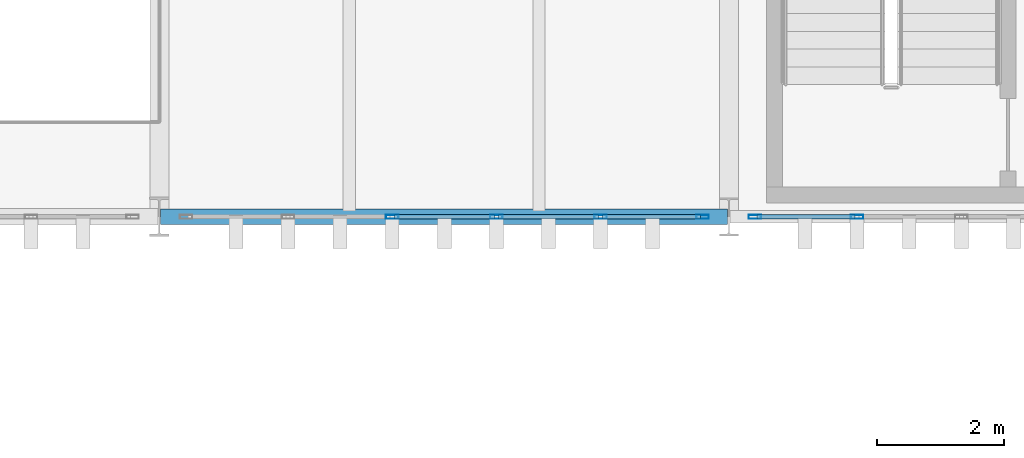
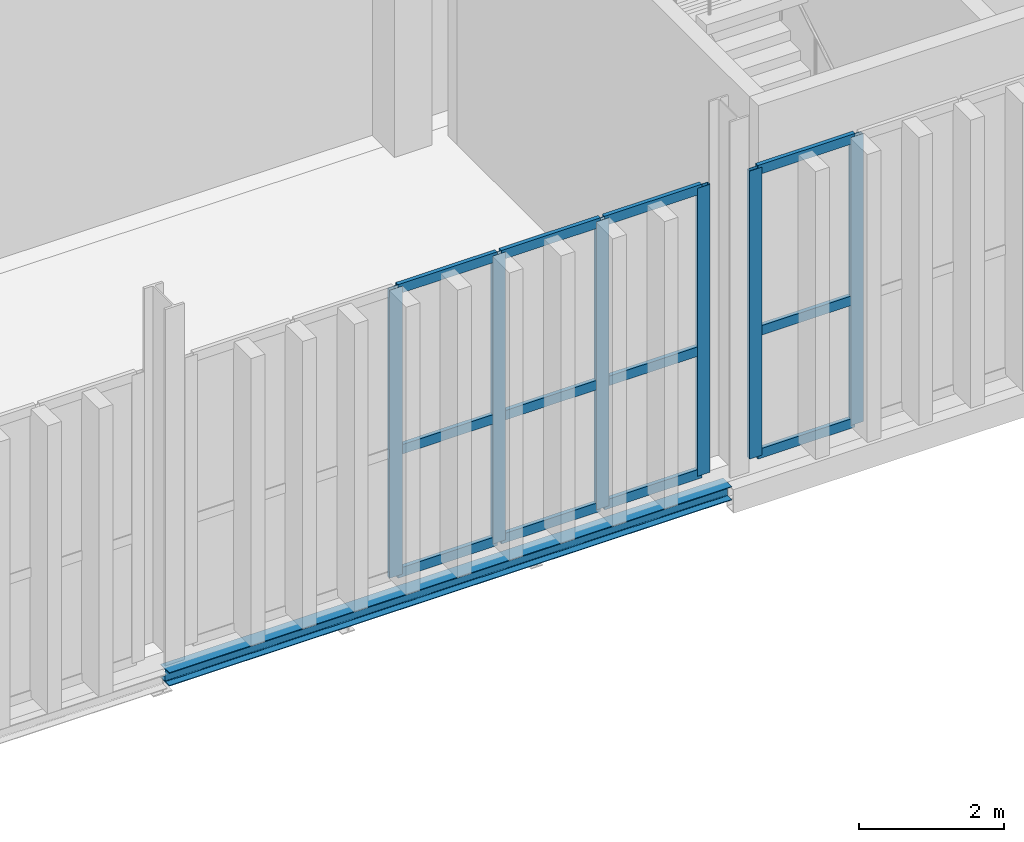
# One storey, part 85 of 237: 18 members, 1 beam, 2 elements without a shape of their own.
"""IFC4 building model written with IfcOpenShell, lengths in metres."""

from ifc_helpers import new_model, si_unit, direction, frame, origin, origin_2d, place, context, subcontext, project, spatial, hollow_rectangle, i_section, extrude, material, layer, layer_set, material_profile, profile_set, type_object, element, aggregate, save


model = new_model("IFC4")

# Units and contexts
model_context = context("Model", 3, precision=1e-05, world=origin(), true_north=direction((0.0, 1.0)))
body_context = subcontext(model_context, "Body", "Model", "MODEL_VIEW")
ifc_project = project(units=[si_unit("LENGTHUNIT", "METRE"), si_unit("AREAUNIT", "SQUARE_METRE"), si_unit("VOLUMEUNIT", "CUBIC_METRE"), si_unit("PLANEANGLEUNIT", "RADIAN"), si_unit("MASSUNIT", "GRAM", prefix="KILO")], contexts=[model_context])

# Site, building, storey
site_placement = place(None, origin())
site = spatial("IfcSite", under=ifc_project, at=site_placement, CompositionType="ELEMENT")
building_placement = place(site_placement, origin())
building = spatial("IfcBuilding", under=site, at=building_placement, Name="Barlavento Convention Centre", CompositionType="ELEMENT")
storey_placement = place(building_placement, frame((0.0, 0.0, 12.0)))
storey = spatial("IfcBuildingStorey", under=building, at=storey_placement, Name="L02", CompositionType="ELEMENT", Elevation=12.0)

# Curtain wall, members
ifc_material_1 = material(Name="Powder-coated aluminium and Low-E glass", Category="aluminium")
ifc_layer = layer(ifc_material_1, 0.195068359375)
ifc_layer_set = layer_set([ifc_layer], Name="ARC-CW-BALL-L02")
curtain_wall_type = type_object("IfcCurtainWallType", Name="ARC-CW-BALL-L02", PredefinedType="NOTDEFINED", material=ifc_layer_set)
curtain_wall_1_placement = place(storey_placement, origin())
curtain_wall_1 = element("IfcCurtainWall", 1, at=curtain_wall_1_placement, inside=storey, type_object=curtain_wall_type, Name="L02 unitised curtain wall CW07", PredefinedType="NOTDEFINED")
ifc_material_2 = material(Name="Powder-coated aluminium", Category="aluminium")
ifc_material_profile_1 = material_profile(ifc_material_2, hollow_rectangle(XDim=0.06494140625, YDim=0.199951171875, WallThickness=0.0048828125, at=origin_2d()), Name="AL-MULL 65x200x5")
ifc_profile_set_1 = profile_set([ifc_material_profile_1], Name="Powder-coated aluminium")
member_type_1 = type_object("IfcMemberType", Name="ARC-CWM-65X200", PredefinedType="MULLION", material=ifc_profile_set_1)
member_1_placement = place(storey_placement, frame((111.681884765625, 45.0, 0.0), z_axis=(0.0, 0.0, 1.0), x_axis=(0.0, 1.0, 0.0)))
member_1 = element("IfcMember", 2, at=member_1_placement, type_object=member_type_1, Name="CW07 mullion 3", PredefinedType="MULLION", context=body_context, shape_type="SweptSolid", body=[
    extrude(hollow_rectangle(XDim=0.06494140625, YDim=0.199951171875, WallThickness=0.0048828125, at=origin_2d()), origin(), (0.0, 0.0, 1.0), 4.85009765625),
])
member_2_placement = place(storey_placement, frame((113.327880859375, 45.0, 0.0), z_axis=(0.0, 0.0, 1.0), x_axis=(0.0, 1.0, 0.0)))
member_2 = element("IfcMember", 3, at=member_2_placement, type_object=member_type_1, Name="CW07 mullion 4", PredefinedType="MULLION", context=body_context, shape_type="SweptSolid", body=[
    extrude(hollow_rectangle(XDim=0.06494140625, YDim=0.199951171875, WallThickness=0.0048828125, at=origin_2d()), origin(), (0.0, 0.0, 1.0), 4.85009765625),
])
member_3_placement = place(storey_placement, frame((114.97412109375, 45.0, 0.0), z_axis=(0.0, 0.0, 1.0), x_axis=(0.0, 1.0, 0.0)))
member_3 = element("IfcMember", 4, at=member_3_placement, type_object=member_type_1, Name="CW07 mullion 5", PredefinedType="MULLION", context=body_context, shape_type="SweptSolid", body=[
    extrude(hollow_rectangle(XDim=0.06494140625, YDim=0.199951171875, WallThickness=0.0048828125, at=origin_2d()), origin(), (0.0, 0.0, 1.0), 4.85009765625),
])
member_4_placement = place(storey_placement, frame((116.58740234375, 45.0, 0.0), z_axis=(0.0, 0.0, 1.0), x_axis=(0.0, 1.0, 0.0)))
member_4 = element("IfcMember", 5, at=member_4_placement, type_object=member_type_1, Name="CW07 mullion 6", PredefinedType="MULLION", context=body_context, shape_type="SweptSolid", body=[
    extrude(hollow_rectangle(XDim=0.06494140625, YDim=0.199951171875, WallThickness=0.0048828125, at=origin_2d()), origin(), (0.0, 0.0, 1.0), 4.85009765625),
])

curtain_wall_2_placement = place(storey_placement, origin())
curtain_wall_2 = element("IfcCurtainWall", 6, at=curtain_wall_2_placement, inside=storey, type_object=curtain_wall_type, Name="L02 unitised curtain wall CW07", PredefinedType="NOTDEFINED")
member_5_placement = place(storey_placement, frame((117.41259765625, 45.0, 0.0), z_axis=(0.0, 0.0, 1.0), x_axis=(0.0, 1.0, 0.0)))
member_5 = element("IfcMember", 7, at=member_5_placement, type_object=member_type_1, Name="CW07 mullion 1", PredefinedType="MULLION", context=body_context, shape_type="SweptSolid", body=[
    extrude(hollow_rectangle(XDim=0.06494140625, YDim=0.199951171875, WallThickness=0.0048828125, at=origin_2d()), origin(), (0.0, 0.0, 1.0), 4.85009765625),
])
member_6_placement = place(storey_placement, frame((119.028076171875, 45.0, 0.0), z_axis=(0.0, 0.0, 1.0), x_axis=(0.0, 1.0, 0.0)))
member_6 = element("IfcMember", 8, at=member_6_placement, type_object=member_type_1, Name="CW07 mullion 2", PredefinedType="MULLION", context=body_context, shape_type="SweptSolid", body=[
    extrude(hollow_rectangle(XDim=0.06494140625, YDim=0.199951171875, WallThickness=0.0048828125, at=origin_2d()), origin(), (0.0, 0.0, 1.0), 4.85009765625),
])

# Member
ifc_material_profile_2 = material_profile(ifc_material_2, hollow_rectangle(XDim=0.06494140625, YDim=0.159912109375, WallThickness=0.0048828125, at=origin_2d()), Name="AL-TRAN 65x160x5")
ifc_profile_set_2 = profile_set([ifc_material_profile_2], Name="Powder-coated aluminium")
member_type_2 = type_object("IfcMemberType", Name="ARC-CWT-65X160", PredefinedType="USERDEFINED", material=ifc_profile_set_2)
member_7_placement = place(storey_placement, frame((111.714599609375, 45.0, 0.032470703125), z_axis=(1.0, 0.0, 0.0), x_axis=(0.0, 1.0, 0.0)))
member_7 = element("IfcMember", 9, at=member_7_placement, type_object=member_type_2, Name="CW07 transom 3.1", ObjectType="TRANSOM", PredefinedType="USERDEFINED", context=body_context, shape_type="SweptSolid", body=[
    extrude(hollow_rectangle(XDim=0.06494140625, YDim=0.159912109375, WallThickness=0.0048828125, at=origin_2d()), origin(), (0.0, 0.0, 1.0), 1.580810546875),
])

member_8_placement = place(storey_placement, frame((111.714599609375, 45.0, 2.10009765625), z_axis=(1.0, 0.0, 0.0), x_axis=(0.0, 1.0, 0.0)))
member_8 = element("IfcMember", 10, at=member_8_placement, type_object=member_type_2, Name="CW07 transom 3.2", ObjectType="TRANSOM", PredefinedType="USERDEFINED", context=body_context, shape_type="SweptSolid", body=[
    extrude(hollow_rectangle(XDim=0.06494140625, YDim=0.159912109375, WallThickness=0.0048828125, at=origin_2d()), origin(), (0.0, 0.0, 1.0), 1.580810546875),
])

member_9_placement = place(storey_placement, frame((111.714599609375, 45.0, 4.8173828125), z_axis=(1.0, 0.0, 0.0), x_axis=(0.0, 1.0, 0.0)))
member_9 = element("IfcMember", 11, at=member_9_placement, type_object=member_type_2, Name="CW07 transom 3.3", ObjectType="TRANSOM", PredefinedType="USERDEFINED", context=body_context, shape_type="SweptSolid", body=[
    extrude(hollow_rectangle(XDim=0.06494140625, YDim=0.159912109375, WallThickness=0.0048828125, at=origin_2d()), origin(), (0.0, 0.0, 1.0), 1.580810546875),
])

member_10_placement = place(storey_placement, frame((113.360595703125, 45.0, 0.032470703125), z_axis=(1.0, 0.0, 0.0), x_axis=(0.0, 1.0, 0.0)))
member_10 = element("IfcMember", 12, at=member_10_placement, type_object=member_type_2, Name="CW07 transom 4.1", ObjectType="TRANSOM", PredefinedType="USERDEFINED", context=body_context, shape_type="SweptSolid", body=[
    extrude(hollow_rectangle(XDim=0.06494140625, YDim=0.159912109375, WallThickness=0.0048828125, at=origin_2d()), origin(), (0.0, 0.0, 1.0), 1.580810546875),
])

member_11_placement = place(storey_placement, frame((113.360595703125, 45.0, 2.10009765625), z_axis=(1.0, 0.0, 0.0), x_axis=(0.0, 1.0, 0.0)))
member_11 = element("IfcMember", 13, at=member_11_placement, type_object=member_type_2, Name="CW07 transom 4.2", ObjectType="TRANSOM", PredefinedType="USERDEFINED", context=body_context, shape_type="SweptSolid", body=[
    extrude(hollow_rectangle(XDim=0.06494140625, YDim=0.159912109375, WallThickness=0.0048828125, at=origin_2d()), origin(), (0.0, 0.0, 1.0), 1.580810546875),
])

member_12_placement = place(storey_placement, frame((113.360595703125, 45.0, 4.8173828125), z_axis=(1.0, 0.0, 0.0), x_axis=(0.0, 1.0, 0.0)))
member_12 = element("IfcMember", 14, at=member_12_placement, type_object=member_type_2, Name="CW07 transom 4.3", ObjectType="TRANSOM", PredefinedType="USERDEFINED", context=body_context, shape_type="SweptSolid", body=[
    extrude(hollow_rectangle(XDim=0.06494140625, YDim=0.159912109375, WallThickness=0.0048828125, at=origin_2d()), origin(), (0.0, 0.0, 1.0), 1.580810546875),
])

member_13_placement = place(storey_placement, frame((115.006591796875, 45.0, 0.032470703125), z_axis=(1.0, 0.0, 0.0), x_axis=(0.0, 1.0, 0.0)))
member_13 = element("IfcMember", 15, at=member_13_placement, type_object=member_type_2, Name="CW07 transom 5.1", ObjectType="TRANSOM", PredefinedType="USERDEFINED", context=body_context, shape_type="SweptSolid", body=[
    extrude(hollow_rectangle(XDim=0.06494140625, YDim=0.159912109375, WallThickness=0.0048828125, at=origin_2d()), origin(), (0.0, 0.0, 1.0), 1.54833984375),
])

member_14_placement = place(storey_placement, frame((115.006591796875, 45.0, 2.10009765625), z_axis=(1.0, 0.0, 0.0), x_axis=(0.0, 1.0, 0.0)))
member_14 = element("IfcMember", 16, at=member_14_placement, type_object=member_type_2, Name="CW07 transom 5.2", ObjectType="TRANSOM", PredefinedType="USERDEFINED", context=body_context, shape_type="SweptSolid", body=[
    extrude(hollow_rectangle(XDim=0.06494140625, YDim=0.159912109375, WallThickness=0.0048828125, at=origin_2d()), origin(), (0.0, 0.0, 1.0), 1.54833984375),
])

member_15_placement = place(storey_placement, frame((115.006591796875, 45.0, 4.8173828125), z_axis=(1.0, 0.0, 0.0), x_axis=(0.0, 1.0, 0.0)))
member_15 = element("IfcMember", 17, at=member_15_placement, type_object=member_type_2, Name="CW07 transom 5.3", ObjectType="TRANSOM", PredefinedType="USERDEFINED", context=body_context, shape_type="SweptSolid", body=[
    extrude(hollow_rectangle(XDim=0.06494140625, YDim=0.159912109375, WallThickness=0.0048828125, at=origin_2d()), origin(), (0.0, 0.0, 1.0), 1.54833984375),
])

aggregate(curtain_wall_1, [member_1, member_2, member_3, member_4, member_7, member_8, member_9, member_10, member_11, member_12, member_13, member_14, member_15])

member_16_placement = place(storey_placement, frame((117.445068359375, 45.0, 0.032470703125), z_axis=(1.0, 0.0, 0.0), x_axis=(0.0, 1.0, 0.0)))
member_16 = element("IfcMember", 18, at=member_16_placement, type_object=member_type_2, Name="CW07 transom 1.1", ObjectType="TRANSOM", PredefinedType="USERDEFINED", context=body_context, shape_type="SweptSolid", body=[
    extrude(hollow_rectangle(XDim=0.06494140625, YDim=0.159912109375, WallThickness=0.0048828125, at=origin_2d()), origin(), (0.0, 0.0, 1.0), 1.550537109375),
])

member_17_placement = place(storey_placement, frame((117.445068359375, 45.0, 2.10009765625), z_axis=(1.0, 0.0, 0.0), x_axis=(0.0, 1.0, 0.0)))
member_17 = element("IfcMember", 19, at=member_17_placement, type_object=member_type_2, Name="CW07 transom 1.2", ObjectType="TRANSOM", PredefinedType="USERDEFINED", context=body_context, shape_type="SweptSolid", body=[
    extrude(hollow_rectangle(XDim=0.06494140625, YDim=0.159912109375, WallThickness=0.0048828125, at=origin_2d()), origin(), (0.0, 0.0, 1.0), 1.550537109375),
])

member_18_placement = place(storey_placement, frame((117.445068359375, 45.0, 4.8173828125), z_axis=(1.0, 0.0, 0.0), x_axis=(0.0, 1.0, 0.0)))
member_18 = element("IfcMember", 20, at=member_18_placement, type_object=member_type_2, Name="CW07 transom 1.3", ObjectType="TRANSOM", PredefinedType="USERDEFINED", context=body_context, shape_type="SweptSolid", body=[
    extrude(hollow_rectangle(XDim=0.06494140625, YDim=0.159912109375, WallThickness=0.0048828125, at=origin_2d()), origin(), (0.0, 0.0, 1.0), 1.550537109375),
])

aggregate(curtain_wall_2, [member_5, member_6, member_16, member_17, member_18])

# Beam
ifc_material_3 = material(Name="Steel S355", Category="steel")
ifc_material_profile_3 = material_profile(ifc_material_3, i_section(OverallWidth=0.239990234375, OverallDepth=0.22998046875, WebThickness=0.007568359375, FlangeThickness=0.011962890625, FilletRadius=0.02099609375, at=origin_2d()), Name="HEA 240")
ifc_profile_set_3 = profile_set([ifc_material_profile_3], Name="Steel S355")
beam_type = type_object("IfcBeamType", Name="STR-BM-SPN-HEA240", PredefinedType="SPANDREL", material=ifc_profile_set_3)
beam_placement = place(storey_placement, frame((108.02001953125, 45.0, -0.405029296875), z_axis=(1.0, 0.0, 0.0), x_axis=(0.0, 1.0, 0.0)))
element("IfcBeam", 21, at=beam_placement, inside=storey, type_object=beam_type, Name="L02 primary girder SP05", PredefinedType="SPANDREL", context=body_context, shape_type="SweptSolid", body=[
    extrude(i_section(OverallWidth=0.239990234375, OverallDepth=0.22998046875, WebThickness=0.007568359375, FlangeThickness=0.011962890625, FilletRadius=0.02099609375, at=origin_2d()), origin(), (0.0, 0.0, 1.0), 8.9599609375),
])

save(model, "model.ifc")
